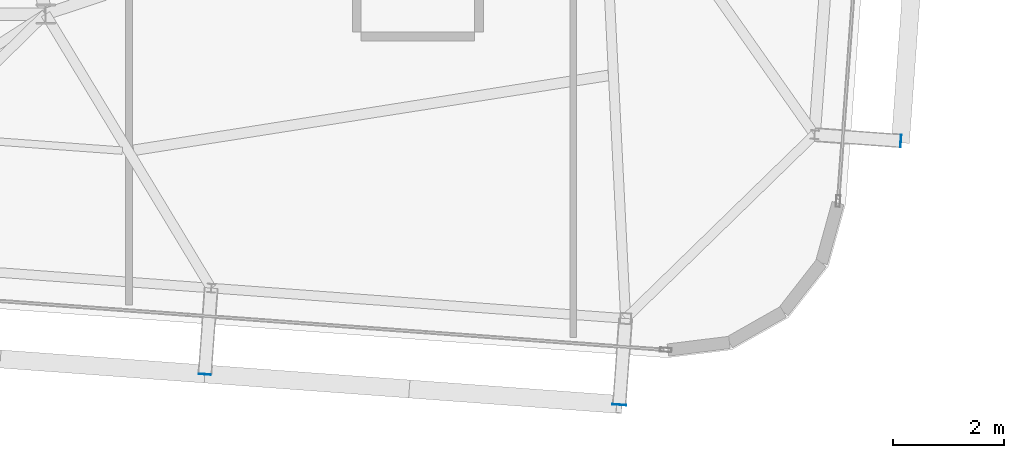
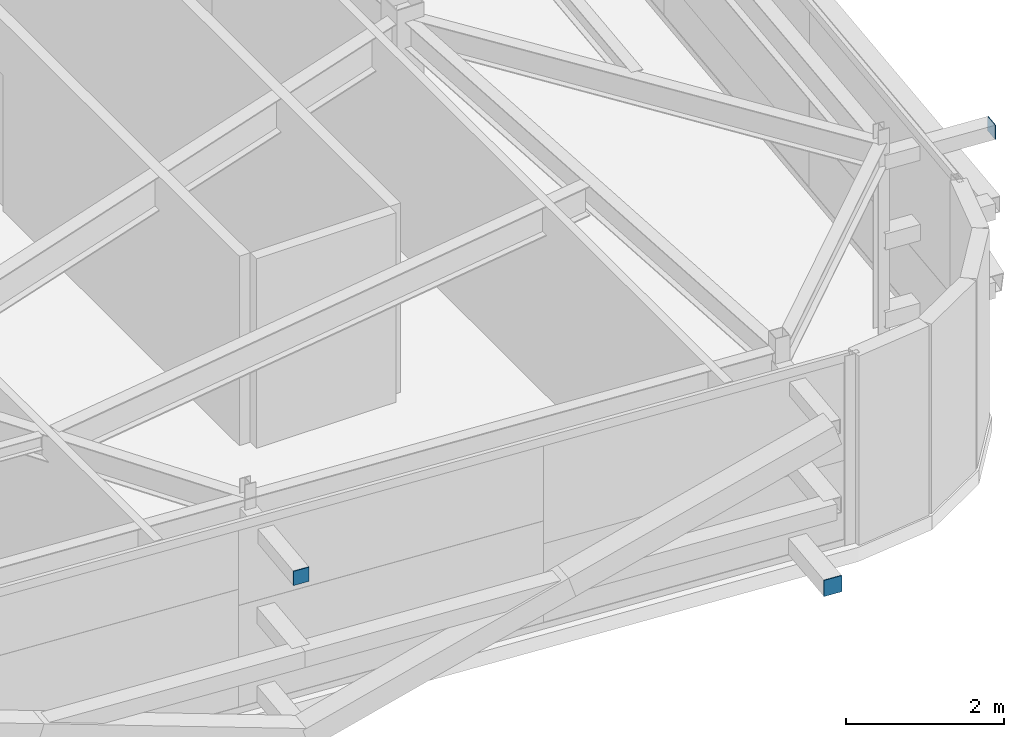
# One storey, part 27 of 34: 3 plates.
"""IFC4 building model written with IfcOpenShell, lengths in metres."""

import ifcopenshell
import ifcopenshell.guid

model = None  # the IFC model being written
_history = None  # IfcOwnerHistory: only IFC2X3 demands one
_inside = {}  # id of a spatial element -> (the spatial element, [elements in it])
_under = {}  # id of a project, library or spatial element -> (it, [spatial elements below it])
_declared = {}  # id of a project -> (the project, [libraries it declares])
_typed = {}  # id of a type object -> (the type object, [elements of that type])
_made_of = {}  # id of a material, layer set ... -> (it, [elements and type objects made of it])


def new_model(schema):
    """Start an empty IFC model of exactly this schema.

    Asked for "IFC4X3", IfcOpenShell would pick the latest addendum, in which some entities
    have other attributes; the version numbers below select the first issue.
    IFC2X3 requires an IfcOwnerHistory on every rooted entity: one is made here for all.
    """
    global model, _history
    if schema == "IFC4X3":
        model = ifcopenshell.file(schema_version=(4, 3, 0, 0))
    else:
        model = ifcopenshell.file(schema=schema)
    _inside.clear()
    _under.clear()
    _declared.clear()
    _typed.clear()
    _made_of.clear()
    _history = None
    if model.schema == "IFC2X3":
        org = make("IfcOrganization", Name="unknown")
        user = make(
            "IfcPersonAndOrganization",
            ThePerson=make("IfcPerson", FamilyName="unknown"),
            TheOrganization=org,
        )
        app = make(
            "IfcApplication",
            ApplicationDeveloper=org,
            Version="unknown",
            ApplicationFullName="unknown",
            ApplicationIdentifier="unknown",
        )
        _history = make(
            "IfcOwnerHistory",
            OwningUser=user,
            OwningApplication=app,
            ChangeAction="ADDED",
            CreationDate=0,
        )
    return model


def make(cls, **values):
    """One entity of the class cls with the attributes given. An attribute that is None is left unset."""
    return model.create_entity(
        cls, **{name: value for name, value in values.items() if value is not None}
    )


def rooted(cls, **values):
    """An entity with a GlobalId (a new one), such as an element, a storey or a relation."""
    return make(cls, GlobalId=ifcopenshell.guid.new(), OwnerHistory=_history, **values)


def si_unit(unit_type, name, prefix=None):
    """IfcSIUnit, for example si_unit("LENGTHUNIT", "METRE", prefix="MILLI")."""
    return make("IfcSIUnit", UnitType=unit_type, Prefix=prefix, Name=name)


def assignment(units):
    """IfcUnitAssignment: the units of a project."""
    return None if units is None else make("IfcUnitAssignment", Units=units)


def point(xyz):
    """IfcCartesianPoint."""
    return None if xyz is None else make("IfcCartesianPoint", Coordinates=xyz)


def direction(xyz):
    """IfcDirection."""
    return None if xyz is None else make("IfcDirection", DirectionRatios=xyz)


def frame(location, z_axis=None, x_axis=None):
    """IfcAxis2Placement3D, a coordinate frame: its origin and axes. An axis left out is left unset."""
    return make(
        "IfcAxis2Placement3D",
        Location=point(location),
        Axis=direction(z_axis),
        RefDirection=direction(x_axis),
    )


def frame_2d(location, x_axis=None):
    """IfcAxis2Placement2D, a coordinate frame in the plane: its origin and x axis."""
    return make(
        "IfcAxis2Placement2D", Location=point(location), RefDirection=direction(x_axis)
    )


def origin():
    """The frame at (0, 0, 0) with its axes left unset."""
    return frame((0.0, 0.0, 0.0))


def origin_2d():
    """The frame at (0, 0) in the plane with its x axis left unset."""
    return frame_2d((0.0, 0.0))


def place(relative_to, where):
    """IfcLocalPlacement: puts the frame where relative to a parent placement (None: the world)."""
    return make(
        "IfcLocalPlacement", PlacementRelTo=relative_to, RelativePlacement=where
    )


def context(
    kind, dimensions, precision=None, world=None, true_north=None, identifier=None
):
    """IfcGeometricRepresentationContext, for example the 3D "Model" context."""
    return make(
        "IfcGeometricRepresentationContext",
        ContextIdentifier=identifier,
        ContextType=kind,
        CoordinateSpaceDimension=dimensions,
        Precision=precision,
        WorldCoordinateSystem=world,
        TrueNorth=true_north,
    )


def subcontext(parent, identifier, kind, view, scale=None):
    """IfcGeometricRepresentationSubContext, for example "Body" below "Model"."""
    return make(
        "IfcGeometricRepresentationSubContext",
        ContextIdentifier=identifier,
        ContextType=kind,
        ParentContext=parent,
        TargetScale=scale,
        TargetView=view,
    )


def project(units=None, contexts=None):
    """IfcProject with its units and contexts."""
    return rooted(
        "IfcProject",
        Name="project",
        RepresentationContexts=contexts,
        UnitsInContext=assignment(units),
    )


def spatial(cls, under=None, at=None, **own):
    """A site, building, storey or space (cls), placed at a placement, below another one or the project."""
    s = rooted(cls, ObjectPlacement=at, **own)
    if under is not None:
        _under.setdefault(under.id(), (under, []))[1].append(s)
    return s


def profile(cls, at=None, kind="AREA", **sizes):
    """A parametric profile (cls). Its sizes go by their IFC names, for example OverallWidth=200.0."""
    return make(cls, ProfileType=kind, Position=at, **sizes)


def rectangle(**sizes):
    """IfcRectangleProfileDef."""
    return profile("IfcRectangleProfileDef", **sizes)


def extrude(swept, where, along, depth):
    """IfcExtrudedAreaSolid: the profile swept, set in the frame where, extruded along a direction by depth."""
    return make(
        "IfcExtrudedAreaSolid",
        SweptArea=swept,
        Position=where,
        ExtrudedDirection=direction(along),
        Depth=depth,
    )


def shape(context_of_items, identifier, shape_type, items):
    """IfcShapeRepresentation: the items that make up one representation, for example the "Body"."""
    return make(
        "IfcShapeRepresentation",
        ContextOfItems=context_of_items,
        RepresentationIdentifier=identifier,
        RepresentationType=shape_type,
        Items=items,
    )


def source(mapping_origin, context_of_items, identifier, shape_type, items):
    """IfcRepresentationMap: a shape defined once, which mapped items show again and again."""
    return make(
        "IfcRepresentationMap",
        MappingOrigin=mapping_origin,
        MappedRepresentation=shape(context_of_items, identifier, shape_type, items),
    )


def transform(
    local_origin,
    x_axis=None,
    y_axis=None,
    z_axis=None,
    scale=None,
    scale2=None,
    scale3=None,
    uniform=True,
):
    """IfcCartesianTransformationOperator3D, or its non-uniform kind. x_axis, y_axis, z_axis: its Axis1, 2, 3."""
    if uniform:
        return make(
            "IfcCartesianTransformationOperator3D",
            Axis1=direction(x_axis),
            Axis2=direction(y_axis),
            LocalOrigin=point(local_origin),
            Scale=scale,
            Axis3=direction(z_axis),
        )
    return make(
        "IfcCartesianTransformationOperator3DnonUniform",
        Axis1=direction(x_axis),
        Axis2=direction(y_axis),
        LocalOrigin=point(local_origin),
        Scale=scale,
        Axis3=direction(z_axis),
        Scale2=scale2,
        Scale3=scale3,
    )


def mapped(mapping_source, mapping_target):
    """IfcMappedItem: shows the shape of a source again, moved by a transform."""
    return make(
        "IfcMappedItem", MappingSource=mapping_source, MappingTarget=mapping_target
    )


def material(Name=None, Category=None):
    """IfcMaterial."""
    return make("IfcMaterial", Name=Name, Category=Category)


def layer(
    of_material, thickness, ventilated=None, Name=None, Category=None, Priority=None
):
    """IfcMaterialLayer: one layer of a wall or slab, of a material (None: an air gap)."""
    return make(
        "IfcMaterialLayer",
        Material=of_material,
        LayerThickness=thickness,
        IsVentilated=ventilated,
        Name=Name,
        Category=Category,
        Priority=Priority,
    )


def layer_set(layers, Name=None):
    """IfcMaterialLayerSet."""
    return make("IfcMaterialLayerSet", MaterialLayers=layers, LayerSetName=Name)


def made_of(thing, what):
    """Note that an element or type object is made of a material, layer set ...; save() writes the relation."""
    if what is not None:
        _made_of.setdefault(what.id(), (what, []))[1].append(thing)
    return thing


def type_object(cls, material=None, **own):
    """A type object (cls), such as IfcWallType, which elements share."""
    return made_of(rooted(cls, **own), material)


def element(
    cls,
    number,
    at=None,
    inside=None,
    cuts=None,
    type_object=None,
    material=None,
    context=None,
    identifier="Body",
    shape_type=None,
    held_by="IfcProductDefinitionShape",
    body=None,
    shapes=None,
    **own,
):
    """One element of the class cls, such as IfcWall. Its Tag is "e" and its number.

    at: its placement. inside: the storey or other place that contains it. cuts: it is an
    opening in that element (IfcRelVoidsElement). A single representation is given by context,
    identifier, shape_type and body (its items); several are given by shapes. held_by: the class
    of the entity that holds the representations. save() writes the other relations.
    """
    e = rooted(cls, Tag="e%d" % number, ObjectPlacement=at, **own)
    if body is not None:
        shapes = [shape(context, identifier, shape_type, body)]
    if shapes is not None:
        e.Representation = make(held_by, Representations=shapes)
    if inside is not None:
        _inside.setdefault(inside.id(), (inside, []))[1].append(e)
    if cuts is not None:
        rooted(
            "IfcRelVoidsElement", RelatingBuildingElement=cuts, RelatedOpeningElement=e
        )
    if type_object is not None:
        _typed.setdefault(type_object.id(), (type_object, []))[1].append(e)
    return made_of(e, material)


def aggregate(whole, parts):
    """IfcRelAggregates: a whole, such as a stair, and the parts it consists of."""
    return rooted("IfcRelAggregates", RelatingObject=whole, RelatedObjects=parts)


def save(model, path):
    """Write the relations noted so far, then the file.

    IfcRelAggregates (storeys below a building ...), IfcRelContainedInSpatialStructure (elements
    in a storey), IfcRelDefinesByType, IfcRelAssociatesMaterial and IfcRelDeclares: one each for
    every whole, place, type object, material and project.
    """
    for whole, parts in _under.values():
        aggregate(whole, parts)
    for where, things in _inside.values():
        rooted(
            "IfcRelContainedInSpatialStructure",
            RelatedElements=things,
            RelatingStructure=where,
        )
    for kind, things in _typed.values():
        rooted("IfcRelDefinesByType", RelatedObjects=things, RelatingType=kind)
    for what, things in _made_of.values():
        rooted("IfcRelAssociatesMaterial", RelatedObjects=things, RelatingMaterial=what)
    for by, libraries in _declared.values():
        rooted("IfcRelDeclares", RelatingContext=by, RelatedDefinitions=libraries)
    model.write(path)


model = new_model("IFC4")

# Units and contexts
model_context = context("Model", 3, precision=1e-05, world=origin(), true_north=direction((0.0, 1.0)))
body_context = subcontext(model_context, "Body", "Model", "MODEL_VIEW")
ifc_project = project(units=[si_unit("LENGTHUNIT", "METRE"), si_unit("AREAUNIT", "SQUARE_METRE"), si_unit("VOLUMEUNIT", "CUBIC_METRE"), si_unit("PLANEANGLEUNIT", "RADIAN"), si_unit("MASSUNIT", "GRAM", prefix="KILO")], contexts=[model_context])

# Site, building, storey
site_placement = place(None, origin())
site = spatial("IfcSite", under=ifc_project, at=site_placement, CompositionType="ELEMENT")
building_placement = place(site_placement, origin())
building = spatial("IfcBuilding", under=site, at=building_placement, Name="Taldren Reach Tower", CompositionType="ELEMENT")
storey_placement = place(building_placement, frame((0.0, 0.0, 242.89990234375)))
storey = spatial("IfcBuildingStorey", under=building, at=storey_placement, Name="L74", CompositionType="ELEMENT", Elevation=242.89990234375)

# Plates
ifc_material_1 = material(Name="Steel Gr 350 (C350L0)", Category="steel")
ifc_layer_1 = layer(ifc_material_1, 0.011962890625)
ifc_layer_set_1 = layer_set([ifc_layer_1], Name="Steel Gr 350 (C350L0)")
plate_type_1 = type_object("IfcPlateType", Name="PL-CAP-250", PredefinedType="SHEET", material=ifc_layer_set_1)
shared_shape_1 = source(origin(), body_context, "Body", "SweptSolid", [
    extrude(rectangle(XDim=0.25, YDim=0.011962890625, at=origin_2d()), origin(), (0.0, 0.0, 1.0), 0.25),
])
plate_1_placement = place(storey_placement, frame((52.326171875, 2.169189453125, 0.09521484375), z_axis=(0.0, 0.0, 1.0), x_axis=(0.997314477224, -0.073238197128, 0.0)))
element("IfcPlate", 1, at=plate_1_placement, inside=storey, type_object=plate_type_1, Name="Tie strut end cap plate B5-S6 L74", PredefinedType="SHEET", context=body_context, shape_type="MappedRepresentation", body=[
    mapped(shared_shape_1, transform((0.0, 0.0, 0.0), scale=1.0)),
])
ifc_material_2 = material(Name="Steel Gr 450 (C450L0)", Category="steel")
ifc_layer_2 = layer(ifc_material_2, 0.011962890625)
ifc_layer_set_2 = layer_set([ifc_layer_2], Name="Steel Gr 450 (C450L0)")
plate_type_2 = type_object("IfcPlateType", Name="PL-CAP-220", PredefinedType="SHEET", material=ifc_layer_set_2)
shared_shape_2 = source(origin(), body_context, "Body", "SweptSolid", [
    extrude(rectangle(XDim=0.219970703125, YDim=0.011962890625, at=origin_2d()), origin(), (0.0, 0.0, 1.0), 0.219970703125),
])
plate_2_placement = place(storey_placement, frame((44.866455078125, 2.717041015625, 2.5400390625), z_axis=(0.0, 0.0, 1.0), x_axis=(0.997314477224, -0.073238197128, 0.0)))
element("IfcPlate", 2, at=plate_2_placement, inside=storey, type_object=plate_type_2, Name="Tie strut end cap plate B5-S5 L74", PredefinedType="SHEET", context=body_context, shape_type="MappedRepresentation", body=[
    mapped(shared_shape_2, transform((0.0, 0.0, 0.0), scale=1.0)),
])
shared_shape_3 = source(origin(), body_context, "Body", "SweptSolid", [
    extrude(rectangle(XDim=0.011962890625, YDim=0.219970703125, at=origin_2d()), origin(), (0.0, 0.0, 1.0), 0.219970703125),
])
plate_3_placement = place(storey_placement, frame((57.3935546875, 6.9169921875, 2.5400390625), z_axis=(0.0, 0.0, 1.0), x_axis=(0.997314477224, -0.073238197128, 0.0)))
element("IfcPlate", 3, at=plate_3_placement, inside=storey, type_object=plate_type_2, Name="Tie strut end cap plate B5-E1 L74", PredefinedType="SHEET", context=body_context, shape_type="MappedRepresentation", body=[
    mapped(shared_shape_3, transform((0.0, 0.0, 0.0), scale=1.0)),
])

save(model, "model.ifc")
